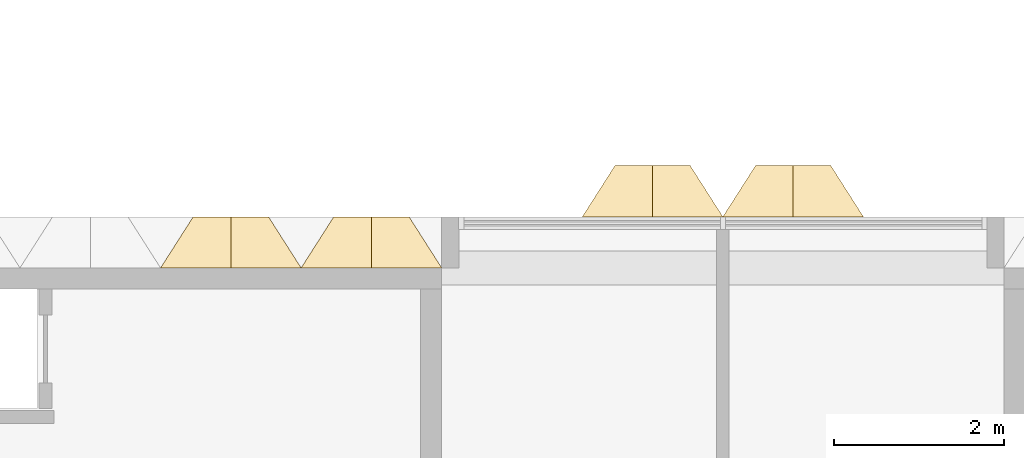
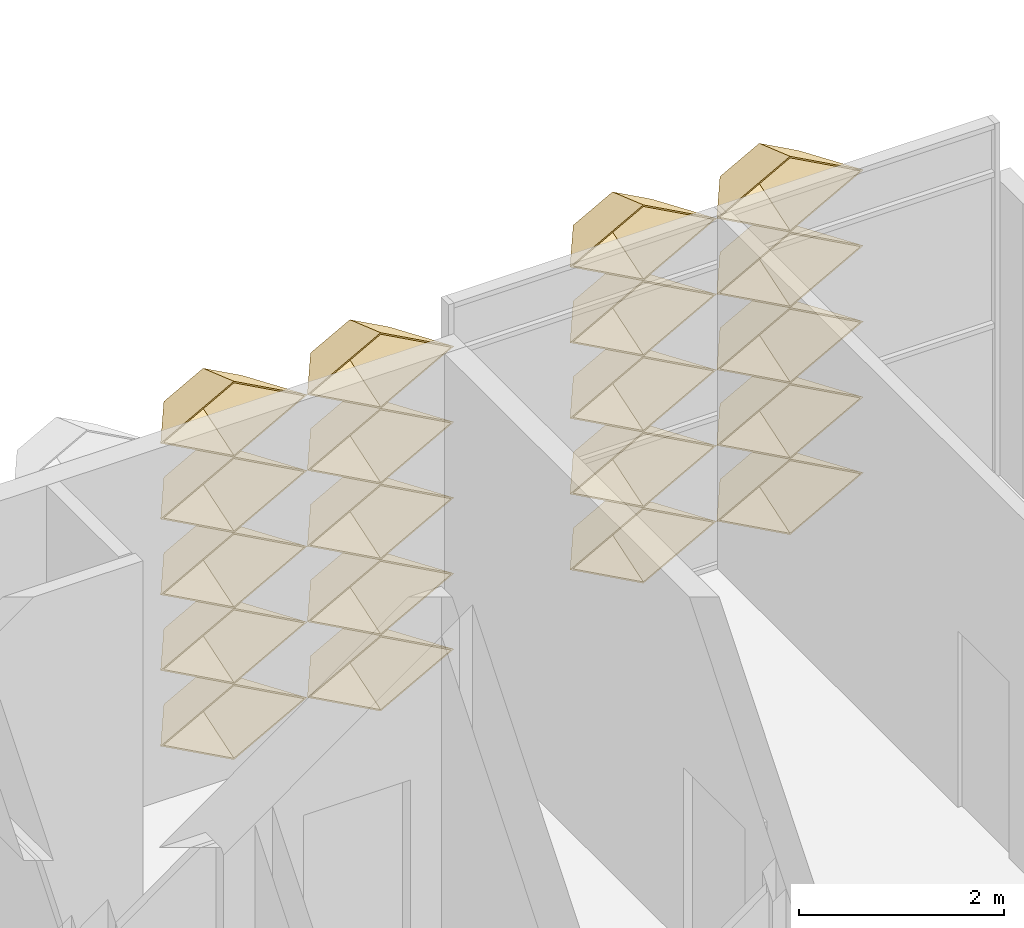
# One storey, part 68 of 102: 20 coverings.
"""IFC4 building model written with IfcOpenShell, lengths in metres."""

from ifc_helpers import new_model, entity, si_unit, direction, frame, origin, place, context, subcontext, project, spatial, material, layer, layer_set, type_object, element, save


model = new_model("IFC4")

# Units and contexts
model_context = context("Model", 3, precision=1e-05, world=origin(), true_north=direction((0.0, 1.0)))
body_context = subcontext(model_context, "Body", "Model", "MODEL_VIEW")
ifc_project = project(units=[si_unit("LENGTHUNIT", "METRE"), si_unit("AREAUNIT", "SQUARE_METRE"), si_unit("VOLUMEUNIT", "CUBIC_METRE"), si_unit("PLANEANGLEUNIT", "RADIAN"), si_unit("MASSUNIT", "GRAM", prefix="KILO")], contexts=[model_context])

# Site, building, storey
site_placement = place(None, origin())
site = spatial("IfcSite", under=ifc_project, at=site_placement, CompositionType="ELEMENT")
building_placement = place(site_placement, origin())
building = spatial("IfcBuilding", under=site, at=building_placement, Name="Lantern Court Research Institute", CompositionType="ELEMENT")
storey_placement = place(building_placement, frame((0.0, 0.0, 9.89990234375)))
storey = spatial("IfcBuildingStorey", under=building, at=storey_placement, Name="L02", CompositionType="ELEMENT", Elevation=9.89990234375)

# Coverings
ifc_material = material(Name="Anodised aluminium", Category="aluminium")
ifc_layer = layer(ifc_material, 0.01611328125)
ifc_layer_set = layer_set([ifc_layer], Name="Anodised aluminium")
covering_type = type_object("IfcCoveringType", Name="Fin cassette 1650 x 900 x 600 aluminium", PredefinedType="CLADDING", material=ifc_layer_set)
covering_1_placement = place(storey_placement, frame((23.925048828125, 23.10009765625, 0.4501953125), z_axis=(0.0, 1.0, 0.0), x_axis=(-1.0, 0.0, 0.0)))
cartesian_point_1 = entity("IfcCartesianPoint", [0.824951171875, 0.0])
cartesian_point_2 = entity("IfcCartesianPoint", [0.79150390625, 0.0])
cartesian_point_3 = entity("IfcCartesianPoint", [0.44189453125, 0.0])
cartesian_point_4 = entity("IfcCartesianPoint", [0.43359375, 0.0])
element("IfcCovering", 1, at=covering_1_placement, inside=storey, type_object=covering_type, Name="Fin cassette V4N-L02 1.15", PredefinedType="CLADDING", context=body_context, shape_type="SweptSolid", body=[
    entity("IfcExtrudedAreaSolidTapered", entity("IfcArbitraryProfileDefWithVoids", "AREA", None, entity("IfcPolyline", [cartesian_point_1, entity("IfcCartesianPoint", [0.0, 0.449951171875]), entity("IfcCartesianPoint", [-0.824951171875, 0.0]), entity("IfcCartesianPoint", [0.0, -0.449951171875]), cartesian_point_1]), [entity("IfcPolyline", [cartesian_point_2, entity("IfcCartesianPoint", [0.0, 0.431884765625]), entity("IfcCartesianPoint", [-0.79150390625, 0.0]), entity("IfcCartesianPoint", [0.0, -0.431884765625]), cartesian_point_2])]), entity("IfcAxis2Placement3D", entity("IfcCartesianPoint", [0.0, 0.0, 0.0])), entity("IfcDirection", [0.0, 0.0, 1.0]), 0.60009765625, entity("IfcArbitraryProfileDefWithVoids", "AREA", None, entity("IfcPolyline", [cartesian_point_3, entity("IfcCartesianPoint", [0.0, 0.240966796875]), entity("IfcCartesianPoint", [-0.44189453125, 0.0]), entity("IfcCartesianPoint", [0.0, -0.240966796875]), cartesian_point_3]), [entity("IfcPolyline", [cartesian_point_4, entity("IfcCartesianPoint", [0.0, 0.236572265625]), entity("IfcCartesianPoint", [-0.43359375, 0.0]), entity("IfcCartesianPoint", [0.0, -0.236572265625]), cartesian_point_4])])),
])
covering_2_placement = place(storey_placement, frame((25.574951171875, 23.10009765625, 0.4501953125), z_axis=(0.0, 1.0, 0.0), x_axis=(-1.0, 0.0, 0.0)))
cartesian_point_5 = entity("IfcCartesianPoint", [0.824951171875, 0.0])
cartesian_point_6 = entity("IfcCartesianPoint", [0.79150390625, 0.0])
cartesian_point_7 = entity("IfcCartesianPoint", [0.44189453125, 0.0])
cartesian_point_8 = entity("IfcCartesianPoint", [0.43359375, 0.0])
element("IfcCovering", 2, at=covering_2_placement, inside=storey, type_object=covering_type, Name="Fin cassette V4N-L02 1.16", PredefinedType="CLADDING", context=body_context, shape_type="SweptSolid", body=[
    entity("IfcExtrudedAreaSolidTapered", entity("IfcArbitraryProfileDefWithVoids", "AREA", None, entity("IfcPolyline", [cartesian_point_5, entity("IfcCartesianPoint", [0.0, 0.449951171875]), entity("IfcCartesianPoint", [-0.824951171875, 0.0]), entity("IfcCartesianPoint", [0.0, -0.449951171875]), cartesian_point_5]), [entity("IfcPolyline", [cartesian_point_6, entity("IfcCartesianPoint", [0.0, 0.431884765625]), entity("IfcCartesianPoint", [-0.79150390625, 0.0]), entity("IfcCartesianPoint", [0.0, -0.431884765625]), cartesian_point_6])]), entity("IfcAxis2Placement3D", entity("IfcCartesianPoint", [0.0, 0.0, 0.0])), entity("IfcDirection", [0.0, 0.0, 1.0]), 0.60009765625, entity("IfcArbitraryProfileDefWithVoids", "AREA", None, entity("IfcPolyline", [cartesian_point_7, entity("IfcCartesianPoint", [0.0, 0.240966796875]), entity("IfcCartesianPoint", [-0.44189453125, 0.0]), entity("IfcCartesianPoint", [0.0, -0.240966796875]), cartesian_point_7]), [entity("IfcPolyline", [cartesian_point_8, entity("IfcCartesianPoint", [0.0, 0.236572265625]), entity("IfcCartesianPoint", [-0.43359375, 0.0]), entity("IfcCartesianPoint", [0.0, -0.236572265625]), cartesian_point_8])])),
])
covering_3_placement = place(storey_placement, frame((23.925048828125, 23.10009765625, 1.35009765625), z_axis=(0.0, 1.0, 0.0), x_axis=(-1.0, 0.0, 0.0)))
cartesian_point_9 = entity("IfcCartesianPoint", [0.824951171875, 0.0])
cartesian_point_10 = entity("IfcCartesianPoint", [0.79150390625, 0.0])
cartesian_point_11 = entity("IfcCartesianPoint", [0.44189453125, 0.0])
cartesian_point_12 = entity("IfcCartesianPoint", [0.43359375, 0.0])
element("IfcCovering", 3, at=covering_3_placement, inside=storey, type_object=covering_type, Name="Fin cassette V4N-L02 2.15", PredefinedType="CLADDING", context=body_context, shape_type="SweptSolid", body=[
    entity("IfcExtrudedAreaSolidTapered", entity("IfcArbitraryProfileDefWithVoids", "AREA", None, entity("IfcPolyline", [cartesian_point_9, entity("IfcCartesianPoint", [0.0, 0.449951171875]), entity("IfcCartesianPoint", [-0.824951171875, 0.0]), entity("IfcCartesianPoint", [0.0, -0.449951171875]), cartesian_point_9]), [entity("IfcPolyline", [cartesian_point_10, entity("IfcCartesianPoint", [0.0, 0.431884765625]), entity("IfcCartesianPoint", [-0.79150390625, 0.0]), entity("IfcCartesianPoint", [0.0, -0.431884765625]), cartesian_point_10])]), entity("IfcAxis2Placement3D", entity("IfcCartesianPoint", [0.0, 0.0, 0.0])), entity("IfcDirection", [0.0, 0.0, 1.0]), 0.60009765625, entity("IfcArbitraryProfileDefWithVoids", "AREA", None, entity("IfcPolyline", [cartesian_point_11, entity("IfcCartesianPoint", [0.0, 0.240966796875]), entity("IfcCartesianPoint", [-0.44189453125, 0.0]), entity("IfcCartesianPoint", [0.0, -0.240966796875]), cartesian_point_11]), [entity("IfcPolyline", [cartesian_point_12, entity("IfcCartesianPoint", [0.0, 0.236572265625]), entity("IfcCartesianPoint", [-0.43359375, 0.0]), entity("IfcCartesianPoint", [0.0, -0.236572265625]), cartesian_point_12])])),
])
covering_4_placement = place(storey_placement, frame((25.574951171875, 23.10009765625, 1.35009765625), z_axis=(0.0, 1.0, 0.0), x_axis=(-1.0, 0.0, 0.0)))
cartesian_point_13 = entity("IfcCartesianPoint", [0.824951171875, 0.0])
cartesian_point_14 = entity("IfcCartesianPoint", [0.79150390625, 0.0])
cartesian_point_15 = entity("IfcCartesianPoint", [0.44189453125, 0.0])
cartesian_point_16 = entity("IfcCartesianPoint", [0.43359375, 0.0])
element("IfcCovering", 4, at=covering_4_placement, inside=storey, type_object=covering_type, Name="Fin cassette V4N-L02 2.16", PredefinedType="CLADDING", context=body_context, shape_type="SweptSolid", body=[
    entity("IfcExtrudedAreaSolidTapered", entity("IfcArbitraryProfileDefWithVoids", "AREA", None, entity("IfcPolyline", [cartesian_point_13, entity("IfcCartesianPoint", [0.0, 0.449951171875]), entity("IfcCartesianPoint", [-0.824951171875, 0.0]), entity("IfcCartesianPoint", [0.0, -0.449951171875]), cartesian_point_13]), [entity("IfcPolyline", [cartesian_point_14, entity("IfcCartesianPoint", [0.0, 0.431884765625]), entity("IfcCartesianPoint", [-0.79150390625, 0.0]), entity("IfcCartesianPoint", [0.0, -0.431884765625]), cartesian_point_14])]), entity("IfcAxis2Placement3D", entity("IfcCartesianPoint", [0.0, 0.0, 0.0])), entity("IfcDirection", [0.0, 0.0, 1.0]), 0.60009765625, entity("IfcArbitraryProfileDefWithVoids", "AREA", None, entity("IfcPolyline", [cartesian_point_15, entity("IfcCartesianPoint", [0.0, 0.240966796875]), entity("IfcCartesianPoint", [-0.44189453125, 0.0]), entity("IfcCartesianPoint", [0.0, -0.240966796875]), cartesian_point_15]), [entity("IfcPolyline", [cartesian_point_16, entity("IfcCartesianPoint", [0.0, 0.236572265625]), entity("IfcCartesianPoint", [-0.43359375, 0.0]), entity("IfcCartesianPoint", [0.0, -0.236572265625]), cartesian_point_16])])),
])
covering_5_placement = place(storey_placement, frame((23.925048828125, 23.10009765625, 2.25), z_axis=(0.0, 1.0, 0.0), x_axis=(-1.0, 0.0, 0.0)))
cartesian_point_17 = entity("IfcCartesianPoint", [0.824951171875, 0.0])
cartesian_point_18 = entity("IfcCartesianPoint", [0.79150390625, 0.0])
cartesian_point_19 = entity("IfcCartesianPoint", [0.44189453125, 0.0])
cartesian_point_20 = entity("IfcCartesianPoint", [0.43359375, 0.0])
element("IfcCovering", 5, at=covering_5_placement, inside=storey, type_object=covering_type, Name="Fin cassette V4N-L02 3.15", PredefinedType="CLADDING", context=body_context, shape_type="SweptSolid", body=[
    entity("IfcExtrudedAreaSolidTapered", entity("IfcArbitraryProfileDefWithVoids", "AREA", None, entity("IfcPolyline", [cartesian_point_17, entity("IfcCartesianPoint", [0.0, 0.449951171875]), entity("IfcCartesianPoint", [-0.824951171875, 0.0]), entity("IfcCartesianPoint", [0.0, -0.449951171875]), cartesian_point_17]), [entity("IfcPolyline", [cartesian_point_18, entity("IfcCartesianPoint", [0.0, 0.431884765625]), entity("IfcCartesianPoint", [-0.79150390625, 0.0]), entity("IfcCartesianPoint", [0.0, -0.431884765625]), cartesian_point_18])]), entity("IfcAxis2Placement3D", entity("IfcCartesianPoint", [0.0, 0.0, 0.0])), entity("IfcDirection", [0.0, 0.0, 1.0]), 0.60009765625, entity("IfcArbitraryProfileDefWithVoids", "AREA", None, entity("IfcPolyline", [cartesian_point_19, entity("IfcCartesianPoint", [0.0, 0.240966796875]), entity("IfcCartesianPoint", [-0.44189453125, 0.0]), entity("IfcCartesianPoint", [0.0, -0.240966796875]), cartesian_point_19]), [entity("IfcPolyline", [cartesian_point_20, entity("IfcCartesianPoint", [0.0, 0.236572265625]), entity("IfcCartesianPoint", [-0.43359375, 0.0]), entity("IfcCartesianPoint", [0.0, -0.236572265625]), cartesian_point_20])])),
])
covering_6_placement = place(storey_placement, frame((25.574951171875, 23.10009765625, 2.25), z_axis=(0.0, 1.0, 0.0), x_axis=(-1.0, 0.0, 0.0)))
cartesian_point_21 = entity("IfcCartesianPoint", [0.824951171875, 0.0])
cartesian_point_22 = entity("IfcCartesianPoint", [0.79150390625, 0.0])
cartesian_point_23 = entity("IfcCartesianPoint", [0.44189453125, 0.0])
cartesian_point_24 = entity("IfcCartesianPoint", [0.43359375, 0.0])
element("IfcCovering", 6, at=covering_6_placement, inside=storey, type_object=covering_type, Name="Fin cassette V4N-L02 3.16", PredefinedType="CLADDING", context=body_context, shape_type="SweptSolid", body=[
    entity("IfcExtrudedAreaSolidTapered", entity("IfcArbitraryProfileDefWithVoids", "AREA", None, entity("IfcPolyline", [cartesian_point_21, entity("IfcCartesianPoint", [0.0, 0.449951171875]), entity("IfcCartesianPoint", [-0.824951171875, 0.0]), entity("IfcCartesianPoint", [0.0, -0.449951171875]), cartesian_point_21]), [entity("IfcPolyline", [cartesian_point_22, entity("IfcCartesianPoint", [0.0, 0.431884765625]), entity("IfcCartesianPoint", [-0.79150390625, 0.0]), entity("IfcCartesianPoint", [0.0, -0.431884765625]), cartesian_point_22])]), entity("IfcAxis2Placement3D", entity("IfcCartesianPoint", [0.0, 0.0, 0.0])), entity("IfcDirection", [0.0, 0.0, 1.0]), 0.60009765625, entity("IfcArbitraryProfileDefWithVoids", "AREA", None, entity("IfcPolyline", [cartesian_point_23, entity("IfcCartesianPoint", [0.0, 0.240966796875]), entity("IfcCartesianPoint", [-0.44189453125, 0.0]), entity("IfcCartesianPoint", [0.0, -0.240966796875]), cartesian_point_23]), [entity("IfcPolyline", [cartesian_point_24, entity("IfcCartesianPoint", [0.0, 0.236572265625]), entity("IfcCartesianPoint", [-0.43359375, 0.0]), entity("IfcCartesianPoint", [0.0, -0.236572265625]), cartesian_point_24])])),
])
covering_7_placement = place(storey_placement, frame((23.925048828125, 23.10009765625, 3.150146484375), z_axis=(0.0, 1.0, 0.0), x_axis=(-1.0, 0.0, 0.0)))
cartesian_point_25 = entity("IfcCartesianPoint", [0.824951171875, 0.0])
cartesian_point_26 = entity("IfcCartesianPoint", [0.79150390625, 0.0])
cartesian_point_27 = entity("IfcCartesianPoint", [0.44189453125, 0.0])
cartesian_point_28 = entity("IfcCartesianPoint", [0.43359375, 0.0])
element("IfcCovering", 7, at=covering_7_placement, inside=storey, type_object=covering_type, Name="Fin cassette V4N-L02 4.15", PredefinedType="CLADDING", context=body_context, shape_type="SweptSolid", body=[
    entity("IfcExtrudedAreaSolidTapered", entity("IfcArbitraryProfileDefWithVoids", "AREA", None, entity("IfcPolyline", [cartesian_point_25, entity("IfcCartesianPoint", [0.0, 0.449951171875]), entity("IfcCartesianPoint", [-0.824951171875, 0.0]), entity("IfcCartesianPoint", [0.0, -0.449951171875]), cartesian_point_25]), [entity("IfcPolyline", [cartesian_point_26, entity("IfcCartesianPoint", [0.0, 0.431884765625]), entity("IfcCartesianPoint", [-0.79150390625, 0.0]), entity("IfcCartesianPoint", [0.0, -0.431884765625]), cartesian_point_26])]), entity("IfcAxis2Placement3D", entity("IfcCartesianPoint", [0.0, 0.0, 0.0])), entity("IfcDirection", [0.0, 0.0, 1.0]), 0.60009765625, entity("IfcArbitraryProfileDefWithVoids", "AREA", None, entity("IfcPolyline", [cartesian_point_27, entity("IfcCartesianPoint", [0.0, 0.240966796875]), entity("IfcCartesianPoint", [-0.44189453125, 0.0]), entity("IfcCartesianPoint", [0.0, -0.240966796875]), cartesian_point_27]), [entity("IfcPolyline", [cartesian_point_28, entity("IfcCartesianPoint", [0.0, 0.236572265625]), entity("IfcCartesianPoint", [-0.43359375, 0.0]), entity("IfcCartesianPoint", [0.0, -0.236572265625]), cartesian_point_28])])),
])
covering_8_placement = place(storey_placement, frame((25.574951171875, 23.10009765625, 3.150146484375), z_axis=(0.0, 1.0, 0.0), x_axis=(-1.0, 0.0, 0.0)))
cartesian_point_29 = entity("IfcCartesianPoint", [0.824951171875, 0.0])
cartesian_point_30 = entity("IfcCartesianPoint", [0.79150390625, 0.0])
cartesian_point_31 = entity("IfcCartesianPoint", [0.44189453125, 0.0])
cartesian_point_32 = entity("IfcCartesianPoint", [0.43359375, 0.0])
element("IfcCovering", 8, at=covering_8_placement, inside=storey, type_object=covering_type, Name="Fin cassette V4N-L02 4.16", PredefinedType="CLADDING", context=body_context, shape_type="SweptSolid", body=[
    entity("IfcExtrudedAreaSolidTapered", entity("IfcArbitraryProfileDefWithVoids", "AREA", None, entity("IfcPolyline", [cartesian_point_29, entity("IfcCartesianPoint", [0.0, 0.449951171875]), entity("IfcCartesianPoint", [-0.824951171875, 0.0]), entity("IfcCartesianPoint", [0.0, -0.449951171875]), cartesian_point_29]), [entity("IfcPolyline", [cartesian_point_30, entity("IfcCartesianPoint", [0.0, 0.431884765625]), entity("IfcCartesianPoint", [-0.79150390625, 0.0]), entity("IfcCartesianPoint", [0.0, -0.431884765625]), cartesian_point_30])]), entity("IfcAxis2Placement3D", entity("IfcCartesianPoint", [0.0, 0.0, 0.0])), entity("IfcDirection", [0.0, 0.0, 1.0]), 0.60009765625, entity("IfcArbitraryProfileDefWithVoids", "AREA", None, entity("IfcPolyline", [cartesian_point_31, entity("IfcCartesianPoint", [0.0, 0.240966796875]), entity("IfcCartesianPoint", [-0.44189453125, 0.0]), entity("IfcCartesianPoint", [0.0, -0.240966796875]), cartesian_point_31]), [entity("IfcPolyline", [cartesian_point_32, entity("IfcCartesianPoint", [0.0, 0.236572265625]), entity("IfcCartesianPoint", [-0.43359375, 0.0]), entity("IfcCartesianPoint", [0.0, -0.236572265625]), cartesian_point_32])])),
])
covering_9_placement = place(storey_placement, frame((23.925048828125, 23.10009765625, 4.050048828125), z_axis=(0.0, 1.0, 0.0), x_axis=(-1.0, 0.0, 0.0)))
cartesian_point_33 = entity("IfcCartesianPoint", [0.824951171875, 0.0])
cartesian_point_34 = entity("IfcCartesianPoint", [0.79150390625, 0.0])
cartesian_point_35 = entity("IfcCartesianPoint", [0.44189453125, 0.0])
cartesian_point_36 = entity("IfcCartesianPoint", [0.43359375, 0.0])
element("IfcCovering", 9, at=covering_9_placement, inside=storey, type_object=covering_type, Name="Fin cassette V4N-L02 5.15", PredefinedType="CLADDING", context=body_context, shape_type="SweptSolid", body=[
    entity("IfcExtrudedAreaSolidTapered", entity("IfcArbitraryProfileDefWithVoids", "AREA", None, entity("IfcPolyline", [cartesian_point_33, entity("IfcCartesianPoint", [0.0, 0.449951171875]), entity("IfcCartesianPoint", [-0.824951171875, 0.0]), entity("IfcCartesianPoint", [0.0, -0.449951171875]), cartesian_point_33]), [entity("IfcPolyline", [cartesian_point_34, entity("IfcCartesianPoint", [0.0, 0.431884765625]), entity("IfcCartesianPoint", [-0.79150390625, 0.0]), entity("IfcCartesianPoint", [0.0, -0.431884765625]), cartesian_point_34])]), entity("IfcAxis2Placement3D", entity("IfcCartesianPoint", [0.0, 0.0, 0.0])), entity("IfcDirection", [0.0, 0.0, 1.0]), 0.60009765625, entity("IfcArbitraryProfileDefWithVoids", "AREA", None, entity("IfcPolyline", [cartesian_point_35, entity("IfcCartesianPoint", [0.0, 0.240966796875]), entity("IfcCartesianPoint", [-0.44189453125, 0.0]), entity("IfcCartesianPoint", [0.0, -0.240966796875]), cartesian_point_35]), [entity("IfcPolyline", [cartesian_point_36, entity("IfcCartesianPoint", [0.0, 0.236572265625]), entity("IfcCartesianPoint", [-0.43359375, 0.0]), entity("IfcCartesianPoint", [0.0, -0.236572265625]), cartesian_point_36])])),
])
covering_10_placement = place(storey_placement, frame((25.574951171875, 23.10009765625, 4.050048828125), z_axis=(0.0, 1.0, 0.0), x_axis=(-1.0, 0.0, 0.0)))
cartesian_point_37 = entity("IfcCartesianPoint", [0.824951171875, 0.0])
cartesian_point_38 = entity("IfcCartesianPoint", [0.79150390625, 0.0])
cartesian_point_39 = entity("IfcCartesianPoint", [0.44189453125, 0.0])
cartesian_point_40 = entity("IfcCartesianPoint", [0.43359375, 0.0])
element("IfcCovering", 10, at=covering_10_placement, inside=storey, type_object=covering_type, Name="Fin cassette V4N-L02 5.16", PredefinedType="CLADDING", context=body_context, shape_type="SweptSolid", body=[
    entity("IfcExtrudedAreaSolidTapered", entity("IfcArbitraryProfileDefWithVoids", "AREA", None, entity("IfcPolyline", [cartesian_point_37, entity("IfcCartesianPoint", [0.0, 0.449951171875]), entity("IfcCartesianPoint", [-0.824951171875, 0.0]), entity("IfcCartesianPoint", [0.0, -0.449951171875]), cartesian_point_37]), [entity("IfcPolyline", [cartesian_point_38, entity("IfcCartesianPoint", [0.0, 0.431884765625]), entity("IfcCartesianPoint", [-0.79150390625, 0.0]), entity("IfcCartesianPoint", [0.0, -0.431884765625]), cartesian_point_38])]), entity("IfcAxis2Placement3D", entity("IfcCartesianPoint", [0.0, 0.0, 0.0])), entity("IfcDirection", [0.0, 0.0, 1.0]), 0.60009765625, entity("IfcArbitraryProfileDefWithVoids", "AREA", None, entity("IfcPolyline", [cartesian_point_39, entity("IfcCartesianPoint", [0.0, 0.240966796875]), entity("IfcCartesianPoint", [-0.44189453125, 0.0]), entity("IfcCartesianPoint", [0.0, -0.240966796875]), cartesian_point_39]), [entity("IfcPolyline", [cartesian_point_40, entity("IfcCartesianPoint", [0.0, 0.236572265625]), entity("IfcCartesianPoint", [-0.43359375, 0.0]), entity("IfcCartesianPoint", [0.0, -0.236572265625]), cartesian_point_40])])),
])
covering_11_placement = place(storey_placement, frame((28.875, 23.699951171875, 0.4501953125), z_axis=(0.0, 1.0, 0.0), x_axis=(-1.0, 0.0, 0.0)))
cartesian_point_41 = entity("IfcCartesianPoint", [0.824951171875, 0.0])
cartesian_point_42 = entity("IfcCartesianPoint", [0.79150390625, 0.0])
cartesian_point_43 = entity("IfcCartesianPoint", [0.44189453125, 0.0])
cartesian_point_44 = entity("IfcCartesianPoint", [0.43359375, 0.0])
element("IfcCovering", 11, at=covering_11_placement, inside=storey, type_object=covering_type, Name="Fin cassette V4N-L02 1.18", PredefinedType="CLADDING", context=body_context, shape_type="SweptSolid", body=[
    entity("IfcExtrudedAreaSolidTapered", entity("IfcArbitraryProfileDefWithVoids", "AREA", None, entity("IfcPolyline", [cartesian_point_41, entity("IfcCartesianPoint", [0.0, 0.449951171875]), entity("IfcCartesianPoint", [-0.824951171875, 0.0]), entity("IfcCartesianPoint", [0.0, -0.449951171875]), cartesian_point_41]), [entity("IfcPolyline", [cartesian_point_42, entity("IfcCartesianPoint", [0.0, 0.431884765625]), entity("IfcCartesianPoint", [-0.79150390625, 0.0]), entity("IfcCartesianPoint", [0.0, -0.431884765625]), cartesian_point_42])]), entity("IfcAxis2Placement3D", entity("IfcCartesianPoint", [0.0, 0.0, 0.0])), entity("IfcDirection", [0.0, 0.0, 1.0]), 0.60009765625, entity("IfcArbitraryProfileDefWithVoids", "AREA", None, entity("IfcPolyline", [cartesian_point_43, entity("IfcCartesianPoint", [0.0, 0.240966796875]), entity("IfcCartesianPoint", [-0.44189453125, 0.0]), entity("IfcCartesianPoint", [0.0, -0.240966796875]), cartesian_point_43]), [entity("IfcPolyline", [cartesian_point_44, entity("IfcCartesianPoint", [0.0, 0.236572265625]), entity("IfcCartesianPoint", [-0.43359375, 0.0]), entity("IfcCartesianPoint", [0.0, -0.236572265625]), cartesian_point_44])])),
])
covering_12_placement = place(storey_placement, frame((30.52490234375, 23.699951171875, 0.4501953125), z_axis=(0.0, 1.0, 0.0), x_axis=(-1.0, 0.0, 0.0)))
cartesian_point_45 = entity("IfcCartesianPoint", [0.824951171875, 0.0])
cartesian_point_46 = entity("IfcCartesianPoint", [0.79150390625, 0.0])
cartesian_point_47 = entity("IfcCartesianPoint", [0.44189453125, 0.0])
cartesian_point_48 = entity("IfcCartesianPoint", [0.43359375, 0.0])
element("IfcCovering", 12, at=covering_12_placement, inside=storey, type_object=covering_type, Name="Fin cassette V4N-L02 1.19", PredefinedType="CLADDING", context=body_context, shape_type="SweptSolid", body=[
    entity("IfcExtrudedAreaSolidTapered", entity("IfcArbitraryProfileDefWithVoids", "AREA", None, entity("IfcPolyline", [cartesian_point_45, entity("IfcCartesianPoint", [0.0, 0.449951171875]), entity("IfcCartesianPoint", [-0.824951171875, 0.0]), entity("IfcCartesianPoint", [0.0, -0.449951171875]), cartesian_point_45]), [entity("IfcPolyline", [cartesian_point_46, entity("IfcCartesianPoint", [0.0, 0.431884765625]), entity("IfcCartesianPoint", [-0.79150390625, 0.0]), entity("IfcCartesianPoint", [0.0, -0.431884765625]), cartesian_point_46])]), entity("IfcAxis2Placement3D", entity("IfcCartesianPoint", [0.0, 0.0, 0.0])), entity("IfcDirection", [0.0, 0.0, 1.0]), 0.60009765625, entity("IfcArbitraryProfileDefWithVoids", "AREA", None, entity("IfcPolyline", [cartesian_point_47, entity("IfcCartesianPoint", [0.0, 0.240966796875]), entity("IfcCartesianPoint", [-0.44189453125, 0.0]), entity("IfcCartesianPoint", [0.0, -0.240966796875]), cartesian_point_47]), [entity("IfcPolyline", [cartesian_point_48, entity("IfcCartesianPoint", [0.0, 0.236572265625]), entity("IfcCartesianPoint", [-0.43359375, 0.0]), entity("IfcCartesianPoint", [0.0, -0.236572265625]), cartesian_point_48])])),
])
covering_13_placement = place(storey_placement, frame((28.875, 23.699951171875, 1.35009765625), z_axis=(0.0, 1.0, 0.0), x_axis=(-1.0, 0.0, 0.0)))
cartesian_point_49 = entity("IfcCartesianPoint", [0.824951171875, 0.0])
cartesian_point_50 = entity("IfcCartesianPoint", [0.79150390625, 0.0])
cartesian_point_51 = entity("IfcCartesianPoint", [0.44189453125, 0.0])
cartesian_point_52 = entity("IfcCartesianPoint", [0.43359375, 0.0])
element("IfcCovering", 13, at=covering_13_placement, inside=storey, type_object=covering_type, Name="Fin cassette V4N-L02 2.18", PredefinedType="CLADDING", context=body_context, shape_type="SweptSolid", body=[
    entity("IfcExtrudedAreaSolidTapered", entity("IfcArbitraryProfileDefWithVoids", "AREA", None, entity("IfcPolyline", [cartesian_point_49, entity("IfcCartesianPoint", [0.0, 0.449951171875]), entity("IfcCartesianPoint", [-0.824951171875, 0.0]), entity("IfcCartesianPoint", [0.0, -0.449951171875]), cartesian_point_49]), [entity("IfcPolyline", [cartesian_point_50, entity("IfcCartesianPoint", [0.0, 0.431884765625]), entity("IfcCartesianPoint", [-0.79150390625, 0.0]), entity("IfcCartesianPoint", [0.0, -0.431884765625]), cartesian_point_50])]), entity("IfcAxis2Placement3D", entity("IfcCartesianPoint", [0.0, 0.0, 0.0])), entity("IfcDirection", [0.0, 0.0, 1.0]), 0.60009765625, entity("IfcArbitraryProfileDefWithVoids", "AREA", None, entity("IfcPolyline", [cartesian_point_51, entity("IfcCartesianPoint", [0.0, 0.240966796875]), entity("IfcCartesianPoint", [-0.44189453125, 0.0]), entity("IfcCartesianPoint", [0.0, -0.240966796875]), cartesian_point_51]), [entity("IfcPolyline", [cartesian_point_52, entity("IfcCartesianPoint", [0.0, 0.236572265625]), entity("IfcCartesianPoint", [-0.43359375, 0.0]), entity("IfcCartesianPoint", [0.0, -0.236572265625]), cartesian_point_52])])),
])
covering_14_placement = place(storey_placement, frame((30.52490234375, 23.699951171875, 1.35009765625), z_axis=(0.0, 1.0, 0.0), x_axis=(-1.0, 0.0, 0.0)))
cartesian_point_53 = entity("IfcCartesianPoint", [0.824951171875, 0.0])
cartesian_point_54 = entity("IfcCartesianPoint", [0.79150390625, 0.0])
cartesian_point_55 = entity("IfcCartesianPoint", [0.44189453125, 0.0])
cartesian_point_56 = entity("IfcCartesianPoint", [0.43359375, 0.0])
element("IfcCovering", 14, at=covering_14_placement, inside=storey, type_object=covering_type, Name="Fin cassette V4N-L02 2.19", PredefinedType="CLADDING", context=body_context, shape_type="SweptSolid", body=[
    entity("IfcExtrudedAreaSolidTapered", entity("IfcArbitraryProfileDefWithVoids", "AREA", None, entity("IfcPolyline", [cartesian_point_53, entity("IfcCartesianPoint", [0.0, 0.449951171875]), entity("IfcCartesianPoint", [-0.824951171875, 0.0]), entity("IfcCartesianPoint", [0.0, -0.449951171875]), cartesian_point_53]), [entity("IfcPolyline", [cartesian_point_54, entity("IfcCartesianPoint", [0.0, 0.431884765625]), entity("IfcCartesianPoint", [-0.79150390625, 0.0]), entity("IfcCartesianPoint", [0.0, -0.431884765625]), cartesian_point_54])]), entity("IfcAxis2Placement3D", entity("IfcCartesianPoint", [0.0, 0.0, 0.0])), entity("IfcDirection", [0.0, 0.0, 1.0]), 0.60009765625, entity("IfcArbitraryProfileDefWithVoids", "AREA", None, entity("IfcPolyline", [cartesian_point_55, entity("IfcCartesianPoint", [0.0, 0.240966796875]), entity("IfcCartesianPoint", [-0.44189453125, 0.0]), entity("IfcCartesianPoint", [0.0, -0.240966796875]), cartesian_point_55]), [entity("IfcPolyline", [cartesian_point_56, entity("IfcCartesianPoint", [0.0, 0.236572265625]), entity("IfcCartesianPoint", [-0.43359375, 0.0]), entity("IfcCartesianPoint", [0.0, -0.236572265625]), cartesian_point_56])])),
])
covering_15_placement = place(storey_placement, frame((28.875, 23.699951171875, 2.25), z_axis=(0.0, 1.0, 0.0), x_axis=(-1.0, 0.0, 0.0)))
cartesian_point_57 = entity("IfcCartesianPoint", [0.824951171875, 0.0])
cartesian_point_58 = entity("IfcCartesianPoint", [0.79150390625, 0.0])
cartesian_point_59 = entity("IfcCartesianPoint", [0.44189453125, 0.0])
cartesian_point_60 = entity("IfcCartesianPoint", [0.43359375, 0.0])
element("IfcCovering", 15, at=covering_15_placement, inside=storey, type_object=covering_type, Name="Fin cassette V4N-L02 3.18", PredefinedType="CLADDING", context=body_context, shape_type="SweptSolid", body=[
    entity("IfcExtrudedAreaSolidTapered", entity("IfcArbitraryProfileDefWithVoids", "AREA", None, entity("IfcPolyline", [cartesian_point_57, entity("IfcCartesianPoint", [0.0, 0.449951171875]), entity("IfcCartesianPoint", [-0.824951171875, 0.0]), entity("IfcCartesianPoint", [0.0, -0.449951171875]), cartesian_point_57]), [entity("IfcPolyline", [cartesian_point_58, entity("IfcCartesianPoint", [0.0, 0.431884765625]), entity("IfcCartesianPoint", [-0.79150390625, 0.0]), entity("IfcCartesianPoint", [0.0, -0.431884765625]), cartesian_point_58])]), entity("IfcAxis2Placement3D", entity("IfcCartesianPoint", [0.0, 0.0, 0.0])), entity("IfcDirection", [0.0, 0.0, 1.0]), 0.60009765625, entity("IfcArbitraryProfileDefWithVoids", "AREA", None, entity("IfcPolyline", [cartesian_point_59, entity("IfcCartesianPoint", [0.0, 0.240966796875]), entity("IfcCartesianPoint", [-0.44189453125, 0.0]), entity("IfcCartesianPoint", [0.0, -0.240966796875]), cartesian_point_59]), [entity("IfcPolyline", [cartesian_point_60, entity("IfcCartesianPoint", [0.0, 0.236572265625]), entity("IfcCartesianPoint", [-0.43359375, 0.0]), entity("IfcCartesianPoint", [0.0, -0.236572265625]), cartesian_point_60])])),
])
covering_16_placement = place(storey_placement, frame((30.52490234375, 23.699951171875, 2.25), z_axis=(0.0, 1.0, 0.0), x_axis=(-1.0, 0.0, 0.0)))
cartesian_point_61 = entity("IfcCartesianPoint", [0.824951171875, 0.0])
cartesian_point_62 = entity("IfcCartesianPoint", [0.79150390625, 0.0])
cartesian_point_63 = entity("IfcCartesianPoint", [0.44189453125, 0.0])
cartesian_point_64 = entity("IfcCartesianPoint", [0.43359375, 0.0])
element("IfcCovering", 16, at=covering_16_placement, inside=storey, type_object=covering_type, Name="Fin cassette V4N-L02 3.19", PredefinedType="CLADDING", context=body_context, shape_type="SweptSolid", body=[
    entity("IfcExtrudedAreaSolidTapered", entity("IfcArbitraryProfileDefWithVoids", "AREA", None, entity("IfcPolyline", [cartesian_point_61, entity("IfcCartesianPoint", [0.0, 0.449951171875]), entity("IfcCartesianPoint", [-0.824951171875, 0.0]), entity("IfcCartesianPoint", [0.0, -0.449951171875]), cartesian_point_61]), [entity("IfcPolyline", [cartesian_point_62, entity("IfcCartesianPoint", [0.0, 0.431884765625]), entity("IfcCartesianPoint", [-0.79150390625, 0.0]), entity("IfcCartesianPoint", [0.0, -0.431884765625]), cartesian_point_62])]), entity("IfcAxis2Placement3D", entity("IfcCartesianPoint", [0.0, 0.0, 0.0])), entity("IfcDirection", [0.0, 0.0, 1.0]), 0.60009765625, entity("IfcArbitraryProfileDefWithVoids", "AREA", None, entity("IfcPolyline", [cartesian_point_63, entity("IfcCartesianPoint", [0.0, 0.240966796875]), entity("IfcCartesianPoint", [-0.44189453125, 0.0]), entity("IfcCartesianPoint", [0.0, -0.240966796875]), cartesian_point_63]), [entity("IfcPolyline", [cartesian_point_64, entity("IfcCartesianPoint", [0.0, 0.236572265625]), entity("IfcCartesianPoint", [-0.43359375, 0.0]), entity("IfcCartesianPoint", [0.0, -0.236572265625]), cartesian_point_64])])),
])
covering_17_placement = place(storey_placement, frame((28.875, 23.699951171875, 3.150146484375), z_axis=(0.0, 1.0, 0.0), x_axis=(-1.0, 0.0, 0.0)))
cartesian_point_65 = entity("IfcCartesianPoint", [0.824951171875, 0.0])
cartesian_point_66 = entity("IfcCartesianPoint", [0.79150390625, 0.0])
cartesian_point_67 = entity("IfcCartesianPoint", [0.44189453125, 0.0])
cartesian_point_68 = entity("IfcCartesianPoint", [0.43359375, 0.0])
element("IfcCovering", 17, at=covering_17_placement, inside=storey, type_object=covering_type, Name="Fin cassette V4N-L02 4.18", PredefinedType="CLADDING", context=body_context, shape_type="SweptSolid", body=[
    entity("IfcExtrudedAreaSolidTapered", entity("IfcArbitraryProfileDefWithVoids", "AREA", None, entity("IfcPolyline", [cartesian_point_65, entity("IfcCartesianPoint", [0.0, 0.449951171875]), entity("IfcCartesianPoint", [-0.824951171875, 0.0]), entity("IfcCartesianPoint", [0.0, -0.449951171875]), cartesian_point_65]), [entity("IfcPolyline", [cartesian_point_66, entity("IfcCartesianPoint", [0.0, 0.431884765625]), entity("IfcCartesianPoint", [-0.79150390625, 0.0]), entity("IfcCartesianPoint", [0.0, -0.431884765625]), cartesian_point_66])]), entity("IfcAxis2Placement3D", entity("IfcCartesianPoint", [0.0, 0.0, 0.0])), entity("IfcDirection", [0.0, 0.0, 1.0]), 0.60009765625, entity("IfcArbitraryProfileDefWithVoids", "AREA", None, entity("IfcPolyline", [cartesian_point_67, entity("IfcCartesianPoint", [0.0, 0.240966796875]), entity("IfcCartesianPoint", [-0.44189453125, 0.0]), entity("IfcCartesianPoint", [0.0, -0.240966796875]), cartesian_point_67]), [entity("IfcPolyline", [cartesian_point_68, entity("IfcCartesianPoint", [0.0, 0.236572265625]), entity("IfcCartesianPoint", [-0.43359375, 0.0]), entity("IfcCartesianPoint", [0.0, -0.236572265625]), cartesian_point_68])])),
])
covering_18_placement = place(storey_placement, frame((30.52490234375, 23.699951171875, 3.150146484375), z_axis=(0.0, 1.0, 0.0), x_axis=(-1.0, 0.0, 0.0)))
cartesian_point_69 = entity("IfcCartesianPoint", [0.824951171875, 0.0])
cartesian_point_70 = entity("IfcCartesianPoint", [0.79150390625, 0.0])
cartesian_point_71 = entity("IfcCartesianPoint", [0.44189453125, 0.0])
cartesian_point_72 = entity("IfcCartesianPoint", [0.43359375, 0.0])
element("IfcCovering", 18, at=covering_18_placement, inside=storey, type_object=covering_type, Name="Fin cassette V4N-L02 4.19", PredefinedType="CLADDING", context=body_context, shape_type="SweptSolid", body=[
    entity("IfcExtrudedAreaSolidTapered", entity("IfcArbitraryProfileDefWithVoids", "AREA", None, entity("IfcPolyline", [cartesian_point_69, entity("IfcCartesianPoint", [0.0, 0.449951171875]), entity("IfcCartesianPoint", [-0.824951171875, 0.0]), entity("IfcCartesianPoint", [0.0, -0.449951171875]), cartesian_point_69]), [entity("IfcPolyline", [cartesian_point_70, entity("IfcCartesianPoint", [0.0, 0.431884765625]), entity("IfcCartesianPoint", [-0.79150390625, 0.0]), entity("IfcCartesianPoint", [0.0, -0.431884765625]), cartesian_point_70])]), entity("IfcAxis2Placement3D", entity("IfcCartesianPoint", [0.0, 0.0, 0.0])), entity("IfcDirection", [0.0, 0.0, 1.0]), 0.60009765625, entity("IfcArbitraryProfileDefWithVoids", "AREA", None, entity("IfcPolyline", [cartesian_point_71, entity("IfcCartesianPoint", [0.0, 0.240966796875]), entity("IfcCartesianPoint", [-0.44189453125, 0.0]), entity("IfcCartesianPoint", [0.0, -0.240966796875]), cartesian_point_71]), [entity("IfcPolyline", [cartesian_point_72, entity("IfcCartesianPoint", [0.0, 0.236572265625]), entity("IfcCartesianPoint", [-0.43359375, 0.0]), entity("IfcCartesianPoint", [0.0, -0.236572265625]), cartesian_point_72])])),
])
covering_19_placement = place(storey_placement, frame((28.875, 23.699951171875, 4.050048828125), z_axis=(0.0, 1.0, 0.0), x_axis=(-1.0, 0.0, 0.0)))
cartesian_point_73 = entity("IfcCartesianPoint", [0.824951171875, 0.0])
cartesian_point_74 = entity("IfcCartesianPoint", [0.79150390625, 0.0])
cartesian_point_75 = entity("IfcCartesianPoint", [0.44189453125, 0.0])
cartesian_point_76 = entity("IfcCartesianPoint", [0.43359375, 0.0])
element("IfcCovering", 19, at=covering_19_placement, inside=storey, type_object=covering_type, Name="Fin cassette V4N-L02 5.18", PredefinedType="CLADDING", context=body_context, shape_type="SweptSolid", body=[
    entity("IfcExtrudedAreaSolidTapered", entity("IfcArbitraryProfileDefWithVoids", "AREA", None, entity("IfcPolyline", [cartesian_point_73, entity("IfcCartesianPoint", [0.0, 0.449951171875]), entity("IfcCartesianPoint", [-0.824951171875, 0.0]), entity("IfcCartesianPoint", [0.0, -0.449951171875]), cartesian_point_73]), [entity("IfcPolyline", [cartesian_point_74, entity("IfcCartesianPoint", [0.0, 0.431884765625]), entity("IfcCartesianPoint", [-0.79150390625, 0.0]), entity("IfcCartesianPoint", [0.0, -0.431884765625]), cartesian_point_74])]), entity("IfcAxis2Placement3D", entity("IfcCartesianPoint", [0.0, 0.0, 0.0])), entity("IfcDirection", [0.0, 0.0, 1.0]), 0.60009765625, entity("IfcArbitraryProfileDefWithVoids", "AREA", None, entity("IfcPolyline", [cartesian_point_75, entity("IfcCartesianPoint", [0.0, 0.240966796875]), entity("IfcCartesianPoint", [-0.44189453125, 0.0]), entity("IfcCartesianPoint", [0.0, -0.240966796875]), cartesian_point_75]), [entity("IfcPolyline", [cartesian_point_76, entity("IfcCartesianPoint", [0.0, 0.236572265625]), entity("IfcCartesianPoint", [-0.43359375, 0.0]), entity("IfcCartesianPoint", [0.0, -0.236572265625]), cartesian_point_76])])),
])
covering_20_placement = place(storey_placement, frame((30.52490234375, 23.699951171875, 4.050048828125), z_axis=(0.0, 1.0, 0.0), x_axis=(-1.0, 0.0, 0.0)))
cartesian_point_77 = entity("IfcCartesianPoint", [0.824951171875, 0.0])
cartesian_point_78 = entity("IfcCartesianPoint", [0.79150390625, 0.0])
cartesian_point_79 = entity("IfcCartesianPoint", [0.44189453125, 0.0])
cartesian_point_80 = entity("IfcCartesianPoint", [0.43359375, 0.0])
element("IfcCovering", 20, at=covering_20_placement, inside=storey, type_object=covering_type, Name="Fin cassette V4N-L02 5.19", PredefinedType="CLADDING", context=body_context, shape_type="SweptSolid", body=[
    entity("IfcExtrudedAreaSolidTapered", entity("IfcArbitraryProfileDefWithVoids", "AREA", None, entity("IfcPolyline", [cartesian_point_77, entity("IfcCartesianPoint", [0.0, 0.449951171875]), entity("IfcCartesianPoint", [-0.824951171875, 0.0]), entity("IfcCartesianPoint", [0.0, -0.449951171875]), cartesian_point_77]), [entity("IfcPolyline", [cartesian_point_78, entity("IfcCartesianPoint", [0.0, 0.431884765625]), entity("IfcCartesianPoint", [-0.79150390625, 0.0]), entity("IfcCartesianPoint", [0.0, -0.431884765625]), cartesian_point_78])]), entity("IfcAxis2Placement3D", entity("IfcCartesianPoint", [0.0, 0.0, 0.0])), entity("IfcDirection", [0.0, 0.0, 1.0]), 0.60009765625, entity("IfcArbitraryProfileDefWithVoids", "AREA", None, entity("IfcPolyline", [cartesian_point_79, entity("IfcCartesianPoint", [0.0, 0.240966796875]), entity("IfcCartesianPoint", [-0.44189453125, 0.0]), entity("IfcCartesianPoint", [0.0, -0.240966796875]), cartesian_point_79]), [entity("IfcPolyline", [cartesian_point_80, entity("IfcCartesianPoint", [0.0, 0.236572265625]), entity("IfcCartesianPoint", [-0.43359375, 0.0]), entity("IfcCartesianPoint", [0.0, -0.236572265625]), cartesian_point_80])])),
])

save(model, "model.ifc")
